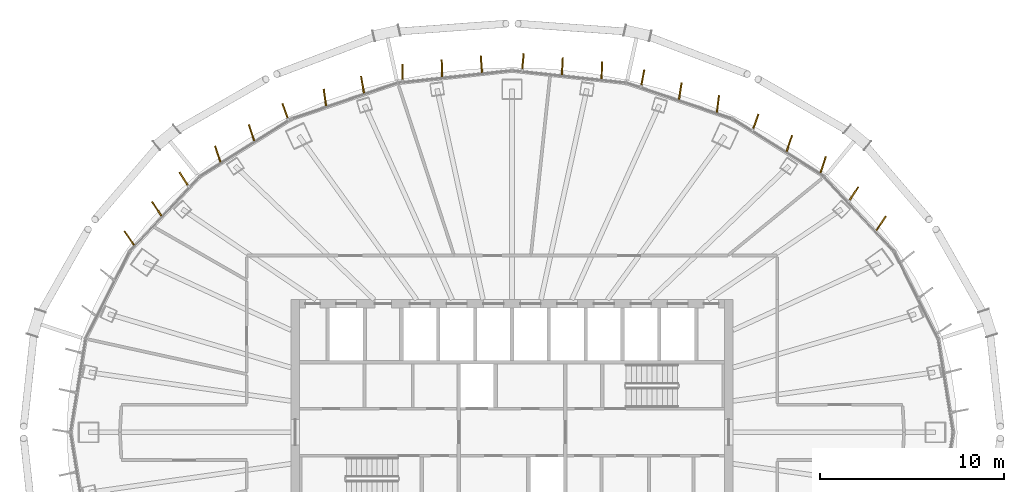
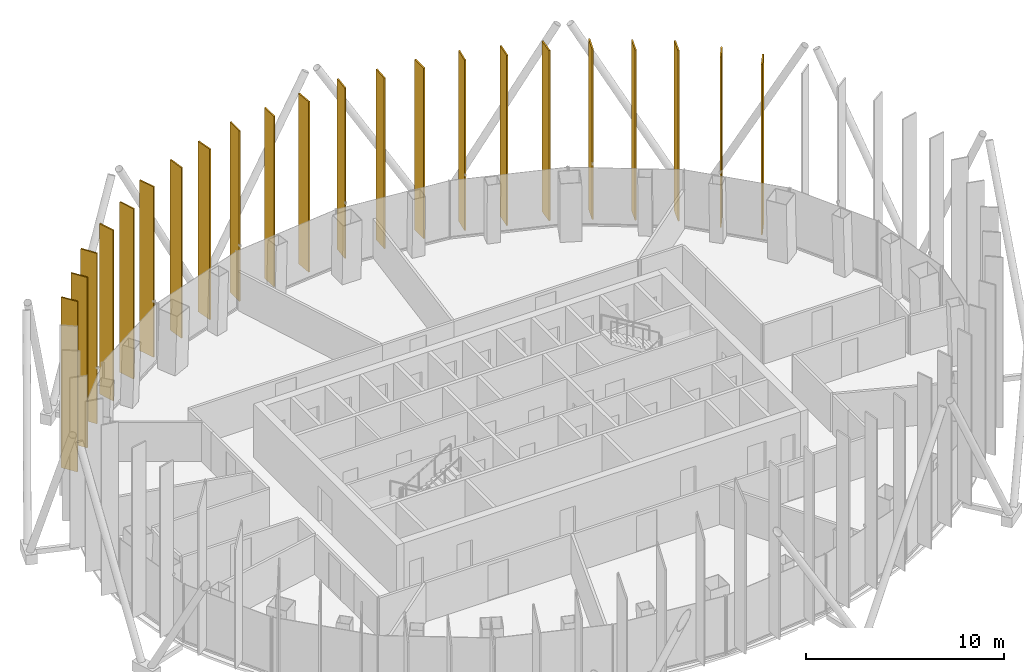
# One storey, part 18 of 18: 22 shading devices.
"""IFC4 building model written with IfcOpenShell, lengths in metres."""

from ifc_helpers import new_model, si_unit, direction, frame, origin, origin_2d, place, context, subcontext, project, spatial, rectangle, extrude, material, layer, layer_set, type_object, element, save


model = new_model("IFC4")

# Units and contexts
model_context = context("Model", 3, precision=1e-05, world=origin(), true_north=direction((0.0, 1.0)))
body_context = subcontext(model_context, "Body", "Model", "MODEL_VIEW")
ifc_project = project(units=[si_unit("LENGTHUNIT", "METRE"), si_unit("AREAUNIT", "SQUARE_METRE"), si_unit("VOLUMEUNIT", "CUBIC_METRE"), si_unit("PLANEANGLEUNIT", "RADIAN"), si_unit("MASSUNIT", "GRAM", prefix="KILO")], contexts=[model_context])

# Site, building, storey
site_placement = place(None, origin())
site = spatial("IfcSite", under=ifc_project, at=site_placement, CompositionType="ELEMENT")
building_placement = place(site_placement, origin())
building = spatial("IfcBuilding", under=site, at=building_placement, Name="Siaravel Broadcast Tower", CompositionType="ELEMENT")
storey_placement = place(building_placement, frame((0.0, 0.0, 157.10009765625)))
storey = spatial("IfcBuildingStorey", under=building, at=storey_placement, Name="L37", CompositionType="ELEMENT", Elevation=157.10009765625)

# Shading devices
ifc_material = material(Name="Bronze anodised aluminium", Category="aluminium")
ifc_layer = layer(ifc_material, 0.080078125)
ifc_layer_set = layer_set([ifc_layer], Name="Bronze anodised aluminium")
shading_device_type = type_object("IfcShadingDeviceType", Name="Bronze fin zone 3", PredefinedType="USERDEFINED", material=ifc_layer_set)
for number, where, z_axis, x_axis, name in (
    (1, (20.041748046875, 11.348388671875, 0.2998046875), (0.0, 0.0, 1.0), (0.557508957, 0.830170924, 0.0), "Bronze fin L37-06"),
    (2, (18.550537109375, 12.93798828125, 0.2998046875), (0.0, 0.0, 1.0), (0.545961592, 0.837810205, 0.0), "Bronze fin L37-07"),
    (3, (16.897705078125, 14.535400390625, 0.2998046875), (0.0, 0.0, 1.0), (0.311590374, 0.950216522, 0.0), "Bronze fin L37-08"),
    (4, (15.060302734375, 15.69091796875, 0.2998046875), (0.0, 0.0, 1.0), (0.317049754, 0.948408906, 0.0), "Bronze fin L37-09"),
    (5, (13.2265625, 16.84521484375, 0.2998046875), (0.0, 0.0, 1.0), (0.331036518, 0.943617944, 0.0), "Bronze fin L37-10"),
    (6, (11.1826171875, 17.83642578125, 0.2998046875), (0.0, 0.0, 1.0), (0.125566992, 0.992085143, 0.0), "Bronze fin L37-11"),
    (7, (9.1376953125, 18.532958984375, 0.2998046875), (0.0, 0.0, 1.0), (0.154551747, 0.987984695, 0.0), "Bronze fin L37-12"),
    (8, (7.095703125, 19.228515625, 0.2998046875), (0.0, 0.0, 1.0), (0.189273679, 0.981924373, 0.0), "Bronze fin L37-13"),
    (9, (4.874755859375, 19.650390625, 0.2998046875), (0.0, 0.0, 1.0), (0.009836517, 0.99995162, 0.0), "Bronze fin L37-14"),
    (10, (2.7333984375, 19.8828125, 0.2998046875), (0.0, 0.0, 1.0), (0.052234866, 0.998634828, 0.0), "Bronze fin L37-15"),
    (11, (0.5927734375, 20.114501953125, 0.2998046875), (0.0, 0.0, 1.0), (0.096236636, 0.995358483, 0.0), "Bronze fin L37-16"),
    (12, (-1.6630859375, 19.998779296875, 0.2998046875), (0.0, 0.0, 1.0), (-0.074178111, 0.997245009, 0.0), "Bronze fin L37-17"),
    (13, (-3.803955078125, 19.766845703125, 0.2998046875), (0.0, 0.0, 1.0), (-0.030693775, 0.999528835, 0.0), "Bronze fin L37-18"),
    (14, (-5.94580078125, 19.533935546875, 0.2998046875), (0.0, 0.0, 1.0), (0.010075615, 0.99994924, 0.0), "Bronze fin L37-19"),
    (15, (-8.116455078125, 18.880615234375, 0.2998046875), (0.0, 0.0, 1.0), (-0.171313543, 0.98521656, 0.0), "Bronze fin L37-20"),
    (16, (-10.159912109375, 18.184814453125, 0.2998046875), (0.0, 0.0, 1.0), (-0.139233593, 0.990259565, 0.0), "Bronze fin L37-21"),
    (17, (-12.31103515625, 17.421875, 0.2998046875), (0.0, 0.0, 1.0), (-0.340942391, 0.940084191, 0.0), "Bronze fin L37-22"),
    (18, (-14.142822265625, 16.268310546875, 0.2998046875), (0.0, 0.0, 1.0), (-0.323019003, 0.946392479, 0.0), "Bronze fin L37-23"),
    (19, (-15.978515625, 15.11328125, 0.2998046875), (0.0, 0.0, 1.0), (-0.31322845, 0.949677808, 0.0), "Bronze fin L37-24"),
    (20, (-17.806396484375, 13.731689453125, 0.2998046875), (0.0, 0.0, 1.0), (-0.543319518, 0.839525998, 0.0), "Bronze fin L37-25"),
    (21, (-19.295654296875, 12.143310546875, 0.2998046875), (0.0, 0.0, 1.0), (-0.550721136, 0.834689302, 0.0), "Bronze fin L37-26"),
    (22, (-20.78857421875, 10.552490234375, 0.2998046875), (0.0, 0.0, 1.0), (-0.566166005, 0.824291244, 0.0), "Bronze fin L37-27"),
):
    element("IfcShadingDevice", number, at=place(storey_placement, frame(where, z_axis=z_axis, x_axis=x_axis)), inside=storey, type_object=shading_device_type, Name=name, ObjectType="FIN", PredefinedType="USERDEFINED", context=body_context, shape_type="SweptSolid", body=[
        extrude(rectangle(XDim=0.919921875, YDim=0.080078125, at=origin_2d()), origin(), (0.0, 0.0, 1.0), 10.5),
    ])

save(model, "model.ifc")
